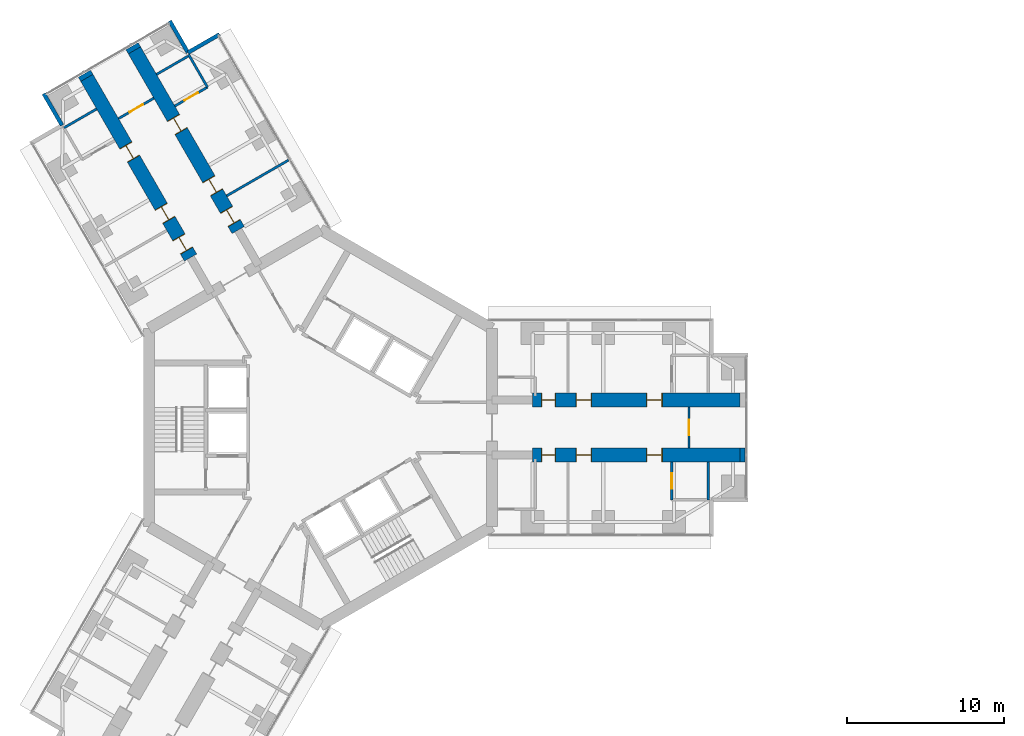
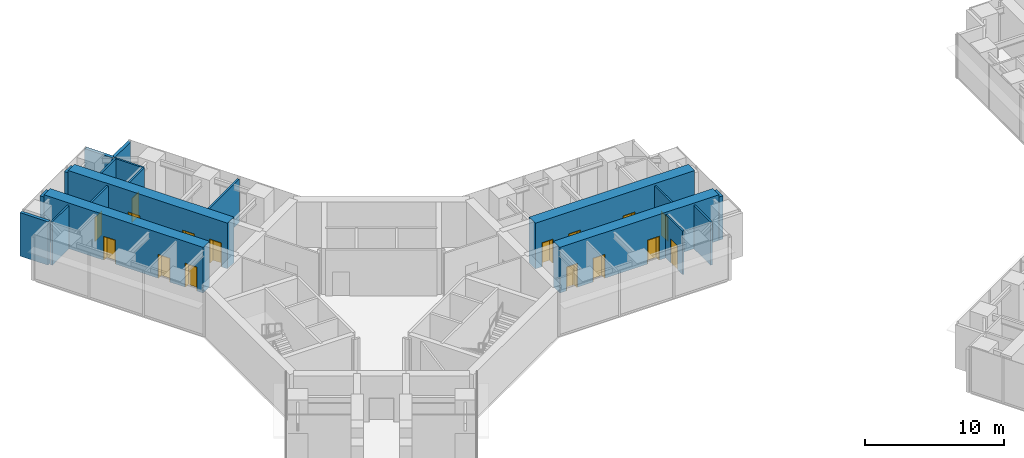
# One storey, part 19 of 24: 19 walls, 16 doors, 16 openings.
"""IFC4 building model written with IfcOpenShell, lengths in metres."""

import ifcopenshell
import ifcopenshell.guid

model = None  # the IFC model being written
_history = None  # IfcOwnerHistory: only IFC2X3 demands one
_inside = {}  # id of a spatial element -> (the spatial element, [elements in it])
_under = {}  # id of a project, library or spatial element -> (it, [spatial elements below it])
_declared = {}  # id of a project -> (the project, [libraries it declares])
_typed = {}  # id of a type object -> (the type object, [elements of that type])
_made_of = {}  # id of a material, layer set ... -> (it, [elements and type objects made of it])


def new_model(schema):
    """Start an empty IFC model of exactly this schema.

    Asked for "IFC4X3", IfcOpenShell would pick the latest addendum, in which some entities
    have other attributes; the version numbers below select the first issue.
    IFC2X3 requires an IfcOwnerHistory on every rooted entity: one is made here for all.
    """
    global model, _history
    if schema == "IFC4X3":
        model = ifcopenshell.file(schema_version=(4, 3, 0, 0))
    else:
        model = ifcopenshell.file(schema=schema)
    _inside.clear()
    _under.clear()
    _declared.clear()
    _typed.clear()
    _made_of.clear()
    _history = None
    if model.schema == "IFC2X3":
        org = make("IfcOrganization", Name="unknown")
        user = make(
            "IfcPersonAndOrganization",
            ThePerson=make("IfcPerson", FamilyName="unknown"),
            TheOrganization=org,
        )
        app = make(
            "IfcApplication",
            ApplicationDeveloper=org,
            Version="unknown",
            ApplicationFullName="unknown",
            ApplicationIdentifier="unknown",
        )
        _history = make(
            "IfcOwnerHistory",
            OwningUser=user,
            OwningApplication=app,
            ChangeAction="ADDED",
            CreationDate=0,
        )
    return model


def make(cls, **values):
    """One entity of the class cls with the attributes given. An attribute that is None is left unset."""
    return model.create_entity(
        cls, **{name: value for name, value in values.items() if value is not None}
    )


def rooted(cls, **values):
    """An entity with a GlobalId (a new one), such as an element, a storey or a relation."""
    return make(cls, GlobalId=ifcopenshell.guid.new(), OwnerHistory=_history, **values)


def si_unit(unit_type, name, prefix=None):
    """IfcSIUnit, for example si_unit("LENGTHUNIT", "METRE", prefix="MILLI")."""
    return make("IfcSIUnit", UnitType=unit_type, Prefix=prefix, Name=name)


def assignment(units):
    """IfcUnitAssignment: the units of a project."""
    return None if units is None else make("IfcUnitAssignment", Units=units)


def point(xyz):
    """IfcCartesianPoint."""
    return None if xyz is None else make("IfcCartesianPoint", Coordinates=xyz)


def direction(xyz):
    """IfcDirection."""
    return None if xyz is None else make("IfcDirection", DirectionRatios=xyz)


def frame(location, z_axis=None, x_axis=None):
    """IfcAxis2Placement3D, a coordinate frame: its origin and axes. An axis left out is left unset."""
    return make(
        "IfcAxis2Placement3D",
        Location=point(location),
        Axis=direction(z_axis),
        RefDirection=direction(x_axis),
    )


def frame_2d(location, x_axis=None):
    """IfcAxis2Placement2D, a coordinate frame in the plane: its origin and x axis."""
    return make(
        "IfcAxis2Placement2D", Location=point(location), RefDirection=direction(x_axis)
    )


def origin():
    """The frame at (0, 0, 0) with its axes left unset."""
    return frame((0.0, 0.0, 0.0))


def place(relative_to, where):
    """IfcLocalPlacement: puts the frame where relative to a parent placement (None: the world)."""
    return make(
        "IfcLocalPlacement", PlacementRelTo=relative_to, RelativePlacement=where
    )


def context(
    kind, dimensions, precision=None, world=None, true_north=None, identifier=None
):
    """IfcGeometricRepresentationContext, for example the 3D "Model" context."""
    return make(
        "IfcGeometricRepresentationContext",
        ContextIdentifier=identifier,
        ContextType=kind,
        CoordinateSpaceDimension=dimensions,
        Precision=precision,
        WorldCoordinateSystem=world,
        TrueNorth=true_north,
    )


def subcontext(parent, identifier, kind, view, scale=None):
    """IfcGeometricRepresentationSubContext, for example "Body" below "Model"."""
    return make(
        "IfcGeometricRepresentationSubContext",
        ContextIdentifier=identifier,
        ContextType=kind,
        ParentContext=parent,
        TargetScale=scale,
        TargetView=view,
    )


def project(units=None, contexts=None):
    """IfcProject with its units and contexts."""
    return rooted(
        "IfcProject",
        Name="project",
        RepresentationContexts=contexts,
        UnitsInContext=assignment(units),
    )


def spatial(cls, under=None, at=None, **own):
    """A site, building, storey or space (cls), placed at a placement, below another one or the project."""
    s = rooted(cls, ObjectPlacement=at, **own)
    if under is not None:
        _under.setdefault(under.id(), (under, []))[1].append(s)
    return s


def profile(cls, at=None, kind="AREA", **sizes):
    """A parametric profile (cls). Its sizes go by their IFC names, for example OverallWidth=200.0."""
    return make(cls, ProfileType=kind, Position=at, **sizes)


def rectangle(**sizes):
    """IfcRectangleProfileDef."""
    return profile("IfcRectangleProfileDef", **sizes)


def extrude(swept, where, along, depth):
    """IfcExtrudedAreaSolid: the profile swept, set in the frame where, extruded along a direction by depth."""
    return make(
        "IfcExtrudedAreaSolid",
        SweptArea=swept,
        Position=where,
        ExtrudedDirection=direction(along),
        Depth=depth,
    )


def shape(context_of_items, identifier, shape_type, items):
    """IfcShapeRepresentation: the items that make up one representation, for example the "Body"."""
    return make(
        "IfcShapeRepresentation",
        ContextOfItems=context_of_items,
        RepresentationIdentifier=identifier,
        RepresentationType=shape_type,
        Items=items,
    )


def material(Name=None, Category=None):
    """IfcMaterial."""
    return make("IfcMaterial", Name=Name, Category=Category)


def layer(
    of_material, thickness, ventilated=None, Name=None, Category=None, Priority=None
):
    """IfcMaterialLayer: one layer of a wall or slab, of a material (None: an air gap)."""
    return make(
        "IfcMaterialLayer",
        Material=of_material,
        LayerThickness=thickness,
        IsVentilated=ventilated,
        Name=Name,
        Category=Category,
        Priority=Priority,
    )


def layer_set(layers, Name=None):
    """IfcMaterialLayerSet."""
    return make("IfcMaterialLayerSet", MaterialLayers=layers, LayerSetName=Name)


def made_of(thing, what):
    """Note that an element or type object is made of a material, layer set ...; save() writes the relation."""
    if what is not None:
        _made_of.setdefault(what.id(), (what, []))[1].append(thing)
    return thing


def type_object(cls, material=None, **own):
    """A type object (cls), such as IfcWallType, which elements share."""
    return made_of(rooted(cls, **own), material)


def element(
    cls,
    number,
    at=None,
    inside=None,
    cuts=None,
    type_object=None,
    material=None,
    context=None,
    identifier="Body",
    shape_type=None,
    held_by="IfcProductDefinitionShape",
    body=None,
    shapes=None,
    **own,
):
    """One element of the class cls, such as IfcWall. Its Tag is "e" and its number.

    at: its placement. inside: the storey or other place that contains it. cuts: it is an
    opening in that element (IfcRelVoidsElement). A single representation is given by context,
    identifier, shape_type and body (its items); several are given by shapes. held_by: the class
    of the entity that holds the representations. save() writes the other relations.
    """
    e = rooted(cls, Tag="e%d" % number, ObjectPlacement=at, **own)
    if body is not None:
        shapes = [shape(context, identifier, shape_type, body)]
    if shapes is not None:
        e.Representation = make(held_by, Representations=shapes)
    if inside is not None:
        _inside.setdefault(inside.id(), (inside, []))[1].append(e)
    if cuts is not None:
        rooted(
            "IfcRelVoidsElement", RelatingBuildingElement=cuts, RelatedOpeningElement=e
        )
    if type_object is not None:
        _typed.setdefault(type_object.id(), (type_object, []))[1].append(e)
    return made_of(e, material)


def fill(opening, filler):
    """IfcRelFillsElement: the door or window that sits in an opening."""
    return rooted(
        "IfcRelFillsElement",
        RelatingOpeningElement=opening,
        RelatedBuildingElement=filler,
    )


def aggregate(whole, parts):
    """IfcRelAggregates: a whole, such as a stair, and the parts it consists of."""
    return rooted("IfcRelAggregates", RelatingObject=whole, RelatedObjects=parts)


def save(model, path):
    """Write the relations noted so far, then the file.

    IfcRelAggregates (storeys below a building ...), IfcRelContainedInSpatialStructure (elements
    in a storey), IfcRelDefinesByType, IfcRelAssociatesMaterial and IfcRelDeclares: one each for
    every whole, place, type object, material and project.
    """
    for whole, parts in _under.values():
        aggregate(whole, parts)
    for where, things in _inside.values():
        rooted(
            "IfcRelContainedInSpatialStructure",
            RelatedElements=things,
            RelatingStructure=where,
        )
    for kind, things in _typed.values():
        rooted("IfcRelDefinesByType", RelatedObjects=things, RelatingType=kind)
    for what, things in _made_of.values():
        rooted("IfcRelAssociatesMaterial", RelatedObjects=things, RelatingMaterial=what)
    for by, libraries in _declared.values():
        rooted("IfcRelDeclares", RelatingContext=by, RelatedDefinitions=libraries)
    model.write(path)


model = new_model("IFC4")

# Units and contexts
model_context = context("Model", 3, precision=1e-05, world=origin(), true_north=direction((0.0, 1.0)))
body_context = subcontext(model_context, "Body", "Model", "MODEL_VIEW")
ifc_project = project(units=[si_unit("LENGTHUNIT", "METRE"), si_unit("AREAUNIT", "SQUARE_METRE"), si_unit("VOLUMEUNIT", "CUBIC_METRE"), si_unit("PLANEANGLEUNIT", "RADIAN"), si_unit("MASSUNIT", "GRAM", prefix="KILO")], contexts=[model_context])

# Site, building, storey
site_placement = place(None, origin())
site = spatial("IfcSite", under=ifc_project, at=site_placement, CompositionType="ELEMENT")
building_placement = place(site_placement, origin())
building = spatial("IfcBuilding", under=site, at=building_placement, Name="Upepo Twin Towers", CompositionType="ELEMENT")
storey_placement = place(building_placement, frame((0.0, 0.0, 52.5)))
storey = spatial("IfcBuildingStorey", under=building, at=storey_placement, Name="L12", CompositionType="ELEMENT", Elevation=52.5)

# Walls
ifc_material_1 = material(Name="Dense concrete blockwork", Category="masonry")
ifc_layer_1 = layer(ifc_material_1, 0.89990234375)
ifc_layer_set_1 = layer_set([ifc_layer_1], Name="Buttress closer 900, blockwork with fire-stopping to the curtain wall")
wall_type_1 = type_object("IfcWallType", Name="Buttress closer 900, blockwork with fire-stopping to the curtain wall", PredefinedType="PARTITIONING", material=ifc_layer_set_1)
for number, where, z_axis, x_axis, name in (
    (1, (26.699951171875, -1.75, 0.0), (0.0, 0.0, 1.0), (1.0, 0.0, 0.0), "T1 L12 wing A buttress closer R"),
    (2, (-14.865478515625, 22.247802734375, 0.0), (0.0, 0.0, 1.0), (-0.499949632511, 0.866054481515, 0.0), "T1 L12 wing B buttress closer L"),
    (3, (-11.83447265625, 23.997802734375, 0.0), (0.0, 0.0, 1.0), (-0.499949632511, 0.866054481515, 0.0), "T1 L12 wing B buttress closer R"),
):
    element("IfcWall", number, at=place(storey_placement, frame(where, z_axis=z_axis, x_axis=x_axis)), inside=storey, type_object=wall_type_1, Name=name, PredefinedType="PARTITIONING", context=body_context, shape_type="SweptSolid", body=[
        extrude(rectangle(XDim=0.31005859375, YDim=0.89990234375, at=frame_2d((0.155029296875, 0.0))), origin(), (0.0, 0.0, 1.0), 3.800048828125),
    ])

# Wall, openings, doors
ifc_material_2 = material(Name="Concrete C60/75", Category="concrete")
ifc_layer_2 = layer(ifc_material_2, 0.89990234375)
ifc_layer_set_2 = layer_set([ifc_layer_2], Name="Concrete C60/75")
wall_type_2 = type_object("IfcWallType", Name="Buttress wall 900 RC", PredefinedType="SHEAR", material=ifc_layer_set_2)
wall_1_placement = place(storey_placement, frame((13.5, 1.75, 0.0), z_axis=(0.0, 0.0, 1.0), x_axis=(1.0, 0.0, 0.0)))
wall_1 = element("IfcWall", 4, at=wall_1_placement, inside=storey, type_object=wall_type_2, Name="T1 wing A buttress wall L part 2", PredefinedType="SHEAR", context=body_context, shape_type="SweptSolid", body=[
    extrude(rectangle(XDim=13.199951171875, YDim=0.89990234375, at=frame_2d((6.60009765625, 0.0))), origin(), (0.0, 0.0, 1.0), 4.0),
])
opening_1_placement = place(wall_1_placement, frame((0.550048828125, 0.0, 0.0)))
opening_1 = element("IfcOpeningElement", 5, at=opening_1_placement, cuts=wall_1, Name="Opening D11", PredefinedType="OPENING", context=body_context, shape_type="SweptSolid", body=[
    extrude(rectangle(XDim=0.89990234375, YDim=2.10009765625, at=frame_2d((0.449951171875, 1.050048828125))), frame((0.0, 0.4599609375, 0.0), z_axis=(0.0, -1.0, 0.0), x_axis=(1.0, 0.0, 0.0)), (0.0, 0.0, 1.0), 0.919921875),
])
opening_2_placement = place(wall_1_placement, frame((2.75, 0.0, 0.0)))
opening_2 = element("IfcOpeningElement", 6, at=opening_2_placement, cuts=wall_1, Name="Opening D1", PredefinedType="OPENING", context=body_context, shape_type="SweptSolid", body=[
    extrude(rectangle(XDim=1.0, YDim=2.10009765625, at=frame_2d((0.5, 1.050048828125))), frame((0.0, 0.4599609375, 0.0), z_axis=(0.0, -1.0, 0.0), x_axis=(1.0, 0.0, 0.0)), (0.0, 0.0, 1.0), 0.919921875),
])
opening_3_placement = place(wall_1_placement, frame((7.25, 0.0, 0.0)))
opening_3 = element("IfcOpeningElement", 7, at=opening_3_placement, cuts=wall_1, Name="Opening D1", PredefinedType="OPENING", context=body_context, shape_type="SweptSolid", body=[
    extrude(rectangle(XDim=1.0, YDim=2.10009765625, at=frame_2d((0.5, 1.050048828125))), frame((0.0, 0.4599609375, 0.0), z_axis=(0.0, -1.0, 0.0), x_axis=(1.0, 0.0, 0.0)), (0.0, 0.0, 1.0), 0.919921875),
])
ifc_material_3 = material(Name="Timber doorset", Category="wood")
door_type_1 = type_object("IfcDoorType", Name="Room door 1000 FD30", OperationType="SINGLE_SWING_LEFT", PredefinedType="DOOR", material=ifc_material_3)
door_1_placement = place(opening_2_placement, origin())
door_1 = element("IfcDoor", 8, at=door_1_placement, inside=storey, type_object=door_type_1, Name="T1 L12 teaching laboratory door", OperationType="SINGLE_SWING_LEFT", OverallHeight=2.10009765625, OverallWidth=1.0, PredefinedType="DOOR", context=body_context, shape_type="SweptSolid", body=[
    extrude(rectangle(XDim=0.92, YDim=2.06009765625, at=frame_2d((0.5, 1.030029296875))), frame((0.0, 0.02490234375, 0.0), z_axis=(0.0, -1.0, 0.0), x_axis=(1.0, 0.0, 0.0)), (0.0, 0.0, 1.0), 0.050048828125),
    extrude(rectangle(XDim=0.04, YDim=2.10009765625, at=frame_2d((0.02001953125, 1.050048828125))), frame((0.0, 0.44970703125, 0.0), z_axis=(0.0, -1.0, 0.0), x_axis=(1.0, 0.0, 0.0)), (0.0, 0.0, 1.0), 0.8994140625),
    extrude(rectangle(XDim=0.04, YDim=2.10009765625, at=frame_2d((0.97998046875, 1.050048828125))), frame((0.0, 0.44970703125, 0.0), z_axis=(0.0, -1.0, 0.0), x_axis=(1.0, 0.0, 0.0)), (0.0, 0.0, 1.0), 0.8994140625),
    extrude(rectangle(XDim=0.92, YDim=0.04, at=frame_2d((0.5, 2.080078125))), frame((0.0, 0.44970703125, 0.0), z_axis=(0.0, -1.0, 0.0), x_axis=(1.0, 0.0, 0.0)), (0.0, 0.0, 1.0), 0.8994140625),
])
fill(opening_2, door_1)
door_2_placement = place(opening_3_placement, origin())
door_2 = element("IfcDoor", 9, at=door_2_placement, inside=storey, type_object=door_type_1, Name="T1 L12 teaching laboratory door", OperationType="SINGLE_SWING_RIGHT", OverallHeight=2.10009765625, OverallWidth=1.0, PredefinedType="DOOR", context=body_context, shape_type="SweptSolid", body=[
    extrude(rectangle(XDim=0.92, YDim=2.06009765625, at=frame_2d((0.5, 1.030029296875))), frame((0.0, 0.02490234375, 0.0), z_axis=(0.0, -1.0, 0.0), x_axis=(1.0, 0.0, 0.0)), (0.0, 0.0, 1.0), 0.050048828125),
    extrude(rectangle(XDim=0.04, YDim=2.10009765625, at=frame_2d((0.02001953125, 1.050048828125))), frame((0.0, 0.44970703125, 0.0), z_axis=(0.0, -1.0, 0.0), x_axis=(1.0, 0.0, 0.0)), (0.0, 0.0, 1.0), 0.8994140625),
    extrude(rectangle(XDim=0.04, YDim=2.10009765625, at=frame_2d((0.97998046875, 1.050048828125))), frame((0.0, 0.44970703125, 0.0), z_axis=(0.0, -1.0, 0.0), x_axis=(1.0, 0.0, 0.0)), (0.0, 0.0, 1.0), 0.8994140625),
    extrude(rectangle(XDim=0.92, YDim=0.04, at=frame_2d((0.5, 2.080078125))), frame((0.0, 0.44970703125, 0.0), z_axis=(0.0, -1.0, 0.0), x_axis=(1.0, 0.0, 0.0)), (0.0, 0.0, 1.0), 0.8994140625),
])
fill(opening_3, door_2)
ifc_material_4 = material(Name="Timber doorset", Category="wood")
door_type_2 = type_object("IfcDoorType", Name="Toilet door 900", OperationType="SINGLE_SWING_LEFT", PredefinedType="DOOR", material=ifc_material_4)
door_3_placement = place(opening_1_placement, origin())
door_3 = element("IfcDoor", 10, at=door_3_placement, inside=storey, type_object=door_type_2, Name="T1 L12 toilets door", OperationType="SINGLE_SWING_LEFT", OverallHeight=2.10009765625, OverallWidth=0.89990234375, PredefinedType="DOOR", context=body_context, shape_type="SweptSolid", body=[
    extrude(rectangle(XDim=0.81990234375, YDim=2.06009765625, at=frame_2d((0.449951171875, 1.030029296875))), frame((0.0, 0.02490234375, 0.0), z_axis=(0.0, -1.0, 0.0), x_axis=(1.0, 0.0, 0.0)), (0.0, 0.0, 1.0), 0.050048828125),
    extrude(rectangle(XDim=0.04, YDim=2.10009765625, at=frame_2d((0.02001953125, 1.050048828125))), frame((0.0, 0.44970703125, 0.0), z_axis=(0.0, -1.0, 0.0), x_axis=(1.0, 0.0, 0.0)), (0.0, 0.0, 1.0), 0.8994140625),
    extrude(rectangle(XDim=0.04, YDim=2.10009765625, at=frame_2d((0.8798828125, 1.050048828125))), frame((0.0, 0.44970703125, 0.0), z_axis=(0.0, -1.0, 0.0), x_axis=(1.0, 0.0, 0.0)), (0.0, 0.0, 1.0), 0.8994140625),
    extrude(rectangle(XDim=0.81990234375, YDim=0.04, at=frame_2d((0.449951171875, 2.080078125))), frame((0.0, 0.44970703125, 0.0), z_axis=(0.0, -1.0, 0.0), x_axis=(1.0, 0.0, 0.0)), (0.0, 0.0, 1.0), 0.8994140625),
])
fill(opening_1, door_3)

wall_2_placement = place(storey_placement, frame((13.5, -1.75, 0.0), z_axis=(0.0, 0.0, 1.0), x_axis=(1.0, 0.0, 0.0)))
wall_2 = element("IfcWall", 11, at=wall_2_placement, inside=storey, type_object=wall_type_2, Name="T1 wing A buttress wall R part 2", PredefinedType="SHEAR", context=body_context, shape_type="SweptSolid", body=[
    extrude(rectangle(XDim=13.199951171875, YDim=0.89990234375, at=frame_2d((6.60009765625, 0.0))), origin(), (0.0, 0.0, 1.0), 4.0),
])
opening_4_placement = place(wall_2_placement, frame((0.550048828125, 0.0, 0.0)))
opening_4 = element("IfcOpeningElement", 12, at=opening_4_placement, cuts=wall_2, Name="Opening D11", PredefinedType="OPENING", context=body_context, shape_type="SweptSolid", body=[
    extrude(rectangle(XDim=0.89990234375, YDim=2.10009765625, at=frame_2d((0.449951171875, 1.050048828125))), frame((0.0, 0.4599609375, 0.0), z_axis=(0.0, -1.0, 0.0), x_axis=(1.0, 0.0, 0.0)), (0.0, 0.0, 1.0), 0.919921875),
])
opening_5_placement = place(wall_2_placement, frame((2.75, 0.0, 0.0)))
opening_5 = element("IfcOpeningElement", 13, at=opening_5_placement, cuts=wall_2, Name="Opening D1", PredefinedType="OPENING", context=body_context, shape_type="SweptSolid", body=[
    extrude(rectangle(XDim=1.0, YDim=2.10009765625, at=frame_2d((0.5, 1.050048828125))), frame((0.0, 0.4599609375, 0.0), z_axis=(0.0, -1.0, 0.0), x_axis=(1.0, 0.0, 0.0)), (0.0, 0.0, 1.0), 0.919921875),
])
opening_6_placement = place(wall_2_placement, frame((7.25, 0.0, 0.0)))
opening_6 = element("IfcOpeningElement", 14, at=opening_6_placement, cuts=wall_2, Name="Opening D1", PredefinedType="OPENING", context=body_context, shape_type="SweptSolid", body=[
    extrude(rectangle(XDim=1.0, YDim=2.10009765625, at=frame_2d((0.5, 1.050048828125))), frame((0.0, 0.4599609375, 0.0), z_axis=(0.0, -1.0, 0.0), x_axis=(1.0, 0.0, 0.0)), (0.0, 0.0, 1.0), 0.919921875),
])
door_4_placement = place(opening_5_placement, origin())
door_4 = element("IfcDoor", 15, at=door_4_placement, inside=storey, type_object=door_type_1, Name="T1 L12 teaching laboratory door", OperationType="SINGLE_SWING_LEFT", OverallHeight=2.10009765625, OverallWidth=1.0, PredefinedType="DOOR", context=body_context, shape_type="SweptSolid", body=[
    extrude(rectangle(XDim=0.92, YDim=2.06009765625, at=frame_2d((0.5, 1.030029296875))), frame((0.0, 0.02490234375, 0.0), z_axis=(0.0, -1.0, 0.0), x_axis=(1.0, 0.0, 0.0)), (0.0, 0.0, 1.0), 0.050048828125),
    extrude(rectangle(XDim=0.04, YDim=2.10009765625, at=frame_2d((0.02001953125, 1.050048828125))), frame((0.0, 0.44970703125, 0.0), z_axis=(0.0, -1.0, 0.0), x_axis=(1.0, 0.0, 0.0)), (0.0, 0.0, 1.0), 0.8994140625),
    extrude(rectangle(XDim=0.04, YDim=2.10009765625, at=frame_2d((0.97998046875, 1.050048828125))), frame((0.0, 0.44970703125, 0.0), z_axis=(0.0, -1.0, 0.0), x_axis=(1.0, 0.0, 0.0)), (0.0, 0.0, 1.0), 0.8994140625),
    extrude(rectangle(XDim=0.92, YDim=0.04, at=frame_2d((0.5, 2.080078125))), frame((0.0, 0.44970703125, 0.0), z_axis=(0.0, -1.0, 0.0), x_axis=(1.0, 0.0, 0.0)), (0.0, 0.0, 1.0), 0.8994140625),
])
fill(opening_5, door_4)
door_5_placement = place(opening_6_placement, origin())
door_5 = element("IfcDoor", 16, at=door_5_placement, inside=storey, type_object=door_type_1, Name="T1 L12 teaching laboratory door", OperationType="SINGLE_SWING_RIGHT", OverallHeight=2.10009765625, OverallWidth=1.0, PredefinedType="DOOR", context=body_context, shape_type="SweptSolid", body=[
    extrude(rectangle(XDim=0.92, YDim=2.06009765625, at=frame_2d((0.5, 1.030029296875))), frame((0.0, 0.02490234375, 0.0), z_axis=(0.0, -1.0, 0.0), x_axis=(1.0, 0.0, 0.0)), (0.0, 0.0, 1.0), 0.050048828125),
    extrude(rectangle(XDim=0.04, YDim=2.10009765625, at=frame_2d((0.02001953125, 1.050048828125))), frame((0.0, 0.44970703125, 0.0), z_axis=(0.0, -1.0, 0.0), x_axis=(1.0, 0.0, 0.0)), (0.0, 0.0, 1.0), 0.8994140625),
    extrude(rectangle(XDim=0.04, YDim=2.10009765625, at=frame_2d((0.97998046875, 1.050048828125))), frame((0.0, 0.44970703125, 0.0), z_axis=(0.0, -1.0, 0.0), x_axis=(1.0, 0.0, 0.0)), (0.0, 0.0, 1.0), 0.8994140625),
    extrude(rectangle(XDim=0.92, YDim=0.04, at=frame_2d((0.5, 2.080078125))), frame((0.0, 0.44970703125, 0.0), z_axis=(0.0, -1.0, 0.0), x_axis=(1.0, 0.0, 0.0)), (0.0, 0.0, 1.0), 0.8994140625),
])
fill(opening_6, door_5)
door_6_placement = place(opening_4_placement, origin())
door_6 = element("IfcDoor", 17, at=door_6_placement, inside=storey, type_object=door_type_2, Name="T1 L12 accessible wc door", OperationType="SINGLE_SWING_LEFT", OverallHeight=2.10009765625, OverallWidth=0.89990234375, PredefinedType="DOOR", context=body_context, shape_type="SweptSolid", body=[
    extrude(rectangle(XDim=0.81990234375, YDim=2.06009765625, at=frame_2d((0.449951171875, 1.030029296875))), frame((0.0, 0.02490234375, 0.0), z_axis=(0.0, -1.0, 0.0), x_axis=(1.0, 0.0, 0.0)), (0.0, 0.0, 1.0), 0.050048828125),
    extrude(rectangle(XDim=0.04, YDim=2.10009765625, at=frame_2d((0.02001953125, 1.050048828125))), frame((0.0, 0.44970703125, 0.0), z_axis=(0.0, -1.0, 0.0), x_axis=(1.0, 0.0, 0.0)), (0.0, 0.0, 1.0), 0.8994140625),
    extrude(rectangle(XDim=0.04, YDim=2.10009765625, at=frame_2d((0.8798828125, 1.050048828125))), frame((0.0, 0.44970703125, 0.0), z_axis=(0.0, -1.0, 0.0), x_axis=(1.0, 0.0, 0.0)), (0.0, 0.0, 1.0), 0.8994140625),
    extrude(rectangle(XDim=0.81990234375, YDim=0.04, at=frame_2d((0.449951171875, 2.080078125))), frame((0.0, 0.44970703125, 0.0), z_axis=(0.0, -1.0, 0.0), x_axis=(1.0, 0.0, 0.0)), (0.0, 0.0, 1.0), 0.8994140625),
])
fill(opening_4, door_6)

wall_3_placement = place(storey_placement, frame((-8.265625, 10.81640625, 0.0), z_axis=(0.0, 0.0, 1.0), x_axis=(-0.499996231654, 0.866027579429, 0.0)))
wall_3 = element("IfcWall", 18, at=wall_3_placement, inside=storey, type_object=wall_type_2, Name="T1 wing B buttress wall L part 2", PredefinedType="SHEAR", context=body_context, shape_type="SweptSolid", body=[
    extrude(rectangle(XDim=13.19970703125, YDim=0.89990234375, at=frame_2d((6.599853515625, 0.0))), origin(), (0.0, 0.0, 1.0), 4.0),
])
opening_7_placement = place(wall_3_placement, frame((0.5, 0.0, 0.0)))
opening_7 = element("IfcOpeningElement", 19, at=opening_7_placement, cuts=wall_3, Name="Opening D1", PredefinedType="OPENING", context=body_context, shape_type="SweptSolid", body=[
    extrude(rectangle(XDim=1.0, YDim=2.10009765625, at=frame_2d((0.5, 1.050048828125))), frame((0.0, 0.4599609375, 0.0), z_axis=(0.0, -1.0, 0.0), x_axis=(1.0, 0.0, 0.0)), (0.0, 0.0, 1.0), 0.919921875),
])
opening_8_placement = place(wall_3_placement, frame((2.75, 0.0, 0.0)))
opening_8 = element("IfcOpeningElement", 20, at=opening_8_placement, cuts=wall_3, Name="Opening D1", PredefinedType="OPENING", context=body_context, shape_type="SweptSolid", body=[
    extrude(rectangle(XDim=1.0, YDim=2.10009765625, at=frame_2d((0.5, 1.050048828125))), frame((0.0, 0.4599609375, 0.0), z_axis=(0.0, -1.0, 0.0), x_axis=(1.0, 0.0, 0.0)), (0.0, 0.0, 1.0), 0.919921875),
])
opening_9_placement = place(wall_3_placement, frame((7.25, 0.0, 0.0)))
opening_9 = element("IfcOpeningElement", 21, at=opening_9_placement, cuts=wall_3, Name="Opening D1", PredefinedType="OPENING", context=body_context, shape_type="SweptSolid", body=[
    extrude(rectangle(XDim=1.0, YDim=2.10009765625, at=frame_2d((0.5, 1.050048828125))), frame((0.0, 0.4599609375, 0.0), z_axis=(0.0, -1.0, 0.0), x_axis=(1.0, 0.0, 0.0)), (0.0, 0.0, 1.0), 0.919921875),
])
door_7_placement = place(opening_7_placement, origin())
door_7 = element("IfcDoor", 22, at=door_7_placement, inside=storey, type_object=door_type_1, Name="T1 L12 seminar room door", OperationType="SINGLE_SWING_LEFT", OverallHeight=2.10009765625, OverallWidth=1.0, PredefinedType="DOOR", context=body_context, shape_type="SweptSolid", body=[
    extrude(rectangle(XDim=0.92, YDim=2.06009765625, at=frame_2d((0.5, 1.030029296875))), frame((0.0, 0.02490234375, 0.0), z_axis=(0.0, -1.0, 0.0), x_axis=(1.0, 0.0, 0.0)), (0.0, 0.0, 1.0), 0.050048828125),
    extrude(rectangle(XDim=0.04, YDim=2.10009765625, at=frame_2d((0.02001953125, 1.050048828125))), frame((0.0, 0.44970703125, 0.0), z_axis=(0.0, -1.0, 0.0), x_axis=(1.0, 0.0, 0.0)), (0.0, 0.0, 1.0), 0.8994140625),
    extrude(rectangle(XDim=0.04, YDim=2.10009765625, at=frame_2d((0.97998046875, 1.050048828125))), frame((0.0, 0.44970703125, 0.0), z_axis=(0.0, -1.0, 0.0), x_axis=(1.0, 0.0, 0.0)), (0.0, 0.0, 1.0), 0.8994140625),
    extrude(rectangle(XDim=0.92, YDim=0.04, at=frame_2d((0.5, 2.080078125))), frame((0.0, 0.44970703125, 0.0), z_axis=(0.0, -1.0, 0.0), x_axis=(1.0, 0.0, 0.0)), (0.0, 0.0, 1.0), 0.8994140625),
])
fill(opening_7, door_7)
door_8_placement = place(opening_8_placement, origin())
door_8 = element("IfcDoor", 23, at=door_8_placement, inside=storey, type_object=door_type_1, Name="T1 L12 teaching laboratory door", OperationType="SINGLE_SWING_LEFT", OverallHeight=2.10009765625, OverallWidth=1.0, PredefinedType="DOOR", context=body_context, shape_type="SweptSolid", body=[
    extrude(rectangle(XDim=0.92, YDim=2.06009765625, at=frame_2d((0.5, 1.030029296875))), frame((0.0, 0.02490234375, 0.0), z_axis=(0.0, -1.0, 0.0), x_axis=(1.0, 0.0, 0.0)), (0.0, 0.0, 1.0), 0.050048828125),
    extrude(rectangle(XDim=0.04, YDim=2.10009765625, at=frame_2d((0.02001953125, 1.050048828125))), frame((0.0, 0.44970703125, 0.0), z_axis=(0.0, -1.0, 0.0), x_axis=(1.0, 0.0, 0.0)), (0.0, 0.0, 1.0), 0.8994140625),
    extrude(rectangle(XDim=0.04, YDim=2.10009765625, at=frame_2d((0.97998046875, 1.050048828125))), frame((0.0, 0.44970703125, 0.0), z_axis=(0.0, -1.0, 0.0), x_axis=(1.0, 0.0, 0.0)), (0.0, 0.0, 1.0), 0.8994140625),
    extrude(rectangle(XDim=0.92, YDim=0.04, at=frame_2d((0.5, 2.080078125))), frame((0.0, 0.44970703125, 0.0), z_axis=(0.0, -1.0, 0.0), x_axis=(1.0, 0.0, 0.0)), (0.0, 0.0, 1.0), 0.8994140625),
])
fill(opening_8, door_8)
door_9_placement = place(opening_9_placement, origin())
door_9 = element("IfcDoor", 24, at=door_9_placement, inside=storey, type_object=door_type_1, Name="T1 L12 teaching laboratory door", OperationType="SINGLE_SWING_RIGHT", OverallHeight=2.10009765625, OverallWidth=1.0, PredefinedType="DOOR", context=body_context, shape_type="SweptSolid", body=[
    extrude(rectangle(XDim=0.92, YDim=2.06009765625, at=frame_2d((0.5, 1.030029296875))), frame((0.0, 0.02490234375, 0.0), z_axis=(0.0, -1.0, 0.0), x_axis=(1.0, 0.0, 0.0)), (0.0, 0.0, 1.0), 0.050048828125),
    extrude(rectangle(XDim=0.04, YDim=2.10009765625, at=frame_2d((0.02001953125, 1.050048828125))), frame((0.0, 0.44970703125, 0.0), z_axis=(0.0, -1.0, 0.0), x_axis=(1.0, 0.0, 0.0)), (0.0, 0.0, 1.0), 0.8994140625),
    extrude(rectangle(XDim=0.04, YDim=2.10009765625, at=frame_2d((0.97998046875, 1.050048828125))), frame((0.0, 0.44970703125, 0.0), z_axis=(0.0, -1.0, 0.0), x_axis=(1.0, 0.0, 0.0)), (0.0, 0.0, 1.0), 0.8994140625),
    extrude(rectangle(XDim=0.92, YDim=0.04, at=frame_2d((0.5, 2.080078125))), frame((0.0, 0.44970703125, 0.0), z_axis=(0.0, -1.0, 0.0), x_axis=(1.0, 0.0, 0.0)), (0.0, 0.0, 1.0), 0.8994140625),
])
fill(opening_9, door_9)

wall_4_placement = place(storey_placement, frame((-5.234375, 12.56640625, 0.0), z_axis=(0.0, 0.0, 1.0), x_axis=(-0.500010103361, 0.866019570528, 0.0)))
wall_4 = element("IfcWall", 25, at=wall_4_placement, inside=storey, type_object=wall_type_2, Name="T1 wing B buttress wall R part 2", PredefinedType="SHEAR", context=body_context, shape_type="SweptSolid", body=[
    extrude(rectangle(XDim=13.199951171875, YDim=0.89990234375, at=frame_2d((6.60009765625, 0.0))), origin(), (0.0, 0.0, 1.0), 4.0),
])
opening_10_placement = place(wall_4_placement, frame((0.5, 0.0, 0.0)))
opening_10 = element("IfcOpeningElement", 26, at=opening_10_placement, cuts=wall_4, Name="Opening D1", PredefinedType="OPENING", context=body_context, shape_type="SweptSolid", body=[
    extrude(rectangle(XDim=1.0, YDim=2.10009765625, at=frame_2d((0.5, 1.050048828125))), frame((0.0, 0.4599609375, 0.0), z_axis=(0.0, -1.0, 0.0), x_axis=(1.0, 0.0, 0.0)), (0.0, 0.0, 1.0), 0.919921875),
])
opening_11_placement = place(wall_4_placement, frame((2.75, 0.0, 0.0)))
opening_11 = element("IfcOpeningElement", 27, at=opening_11_placement, cuts=wall_4, Name="Opening D1", PredefinedType="OPENING", context=body_context, shape_type="SweptSolid", body=[
    extrude(rectangle(XDim=1.0, YDim=2.10009765625, at=frame_2d((0.5, 1.050048828125))), frame((0.0, 0.4599609375, 0.0), z_axis=(0.0, -1.0, 0.0), x_axis=(1.0, 0.0, 0.0)), (0.0, 0.0, 1.0), 0.919921875),
])
opening_12_placement = place(wall_4_placement, frame((7.25, 0.0, 0.0)))
opening_12 = element("IfcOpeningElement", 28, at=opening_12_placement, cuts=wall_4, Name="Opening D1", PredefinedType="OPENING", context=body_context, shape_type="SweptSolid", body=[
    extrude(rectangle(XDim=1.0, YDim=2.10009765625, at=frame_2d((0.5, 1.050048828125))), frame((0.0, 0.4599609375, 0.0), z_axis=(0.0, -1.0, 0.0), x_axis=(1.0, 0.0, 0.0)), (0.0, 0.0, 1.0), 0.919921875),
])
door_10_placement = place(opening_10_placement, origin())
door_10 = element("IfcDoor", 29, at=door_10_placement, inside=storey, type_object=door_type_1, Name="T1 L12 staff office door", OperationType="SINGLE_SWING_LEFT", OverallHeight=2.10009765625, OverallWidth=1.0, PredefinedType="DOOR", context=body_context, shape_type="SweptSolid", body=[
    extrude(rectangle(XDim=0.92, YDim=2.06009765625, at=frame_2d((0.5, 1.030029296875))), frame((0.0, 0.02490234375, 0.0), z_axis=(0.0, -1.0, 0.0), x_axis=(1.0, 0.0, 0.0)), (0.0, 0.0, 1.0), 0.050048828125),
    extrude(rectangle(XDim=0.04, YDim=2.10009765625, at=frame_2d((0.02001953125, 1.050048828125))), frame((0.0, 0.44970703125, 0.0), z_axis=(0.0, -1.0, 0.0), x_axis=(1.0, 0.0, 0.0)), (0.0, 0.0, 1.0), 0.8994140625),
    extrude(rectangle(XDim=0.04, YDim=2.10009765625, at=frame_2d((0.97998046875, 1.050048828125))), frame((0.0, 0.44970703125, 0.0), z_axis=(0.0, -1.0, 0.0), x_axis=(1.0, 0.0, 0.0)), (0.0, 0.0, 1.0), 0.8994140625),
    extrude(rectangle(XDim=0.92, YDim=0.04, at=frame_2d((0.5, 2.080078125))), frame((0.0, 0.44970703125, 0.0), z_axis=(0.0, -1.0, 0.0), x_axis=(1.0, 0.0, 0.0)), (0.0, 0.0, 1.0), 0.8994140625),
])
fill(opening_10, door_10)
door_11_placement = place(opening_11_placement, origin())
door_11 = element("IfcDoor", 30, at=door_11_placement, inside=storey, type_object=door_type_1, Name="T1 L12 teaching laboratory door", OperationType="SINGLE_SWING_LEFT", OverallHeight=2.10009765625, OverallWidth=1.0, PredefinedType="DOOR", context=body_context, shape_type="SweptSolid", body=[
    extrude(rectangle(XDim=0.92, YDim=2.06009765625, at=frame_2d((0.5, 1.030029296875))), frame((0.0, 0.02490234375, 0.0), z_axis=(0.0, -1.0, 0.0), x_axis=(1.0, 0.0, 0.0)), (0.0, 0.0, 1.0), 0.050048828125),
    extrude(rectangle(XDim=0.04, YDim=2.10009765625, at=frame_2d((0.02001953125, 1.050048828125))), frame((0.0, 0.44970703125, 0.0), z_axis=(0.0, -1.0, 0.0), x_axis=(1.0, 0.0, 0.0)), (0.0, 0.0, 1.0), 0.8994140625),
    extrude(rectangle(XDim=0.04, YDim=2.10009765625, at=frame_2d((0.97998046875, 1.050048828125))), frame((0.0, 0.44970703125, 0.0), z_axis=(0.0, -1.0, 0.0), x_axis=(1.0, 0.0, 0.0)), (0.0, 0.0, 1.0), 0.8994140625),
    extrude(rectangle(XDim=0.92, YDim=0.04, at=frame_2d((0.5, 2.080078125))), frame((0.0, 0.44970703125, 0.0), z_axis=(0.0, -1.0, 0.0), x_axis=(1.0, 0.0, 0.0)), (0.0, 0.0, 1.0), 0.8994140625),
])
fill(opening_11, door_11)
door_12_placement = place(opening_12_placement, origin())
door_12 = element("IfcDoor", 31, at=door_12_placement, inside=storey, type_object=door_type_1, Name="T1 L12 teaching laboratory door", OperationType="SINGLE_SWING_RIGHT", OverallHeight=2.10009765625, OverallWidth=1.0, PredefinedType="DOOR", context=body_context, shape_type="SweptSolid", body=[
    extrude(rectangle(XDim=0.92, YDim=2.06009765625, at=frame_2d((0.5, 1.030029296875))), frame((0.0, 0.02490234375, 0.0), z_axis=(0.0, -1.0, 0.0), x_axis=(1.0, 0.0, 0.0)), (0.0, 0.0, 1.0), 0.050048828125),
    extrude(rectangle(XDim=0.04, YDim=2.10009765625, at=frame_2d((0.02001953125, 1.050048828125))), frame((0.0, 0.44970703125, 0.0), z_axis=(0.0, -1.0, 0.0), x_axis=(1.0, 0.0, 0.0)), (0.0, 0.0, 1.0), 0.8994140625),
    extrude(rectangle(XDim=0.04, YDim=2.10009765625, at=frame_2d((0.97998046875, 1.050048828125))), frame((0.0, 0.44970703125, 0.0), z_axis=(0.0, -1.0, 0.0), x_axis=(1.0, 0.0, 0.0)), (0.0, 0.0, 1.0), 0.8994140625),
    extrude(rectangle(XDim=0.92, YDim=0.04, at=frame_2d((0.5, 2.080078125))), frame((0.0, 0.44970703125, 0.0), z_axis=(0.0, -1.0, 0.0), x_axis=(1.0, 0.0, 0.0)), (0.0, 0.0, 1.0), 0.8994140625),
])
fill(opening_12, door_12)

# Walls
ifc_material_5 = material(Name="Blockwork with anodised aluminium cladding", Category="masonry")
ifc_layer_3 = layer(ifc_material_5, 0.25)
ifc_layer_set_3 = layer_set([ifc_layer_3], Name="Notch cladding wall 250, pale metal")
wall_type_3 = type_object("IfcWallType", Name="Notch cladding wall 250, pale metal", PredefinedType="STANDARD", material=ifc_layer_set_3)
for number, where, z_axis, x_axis, name in (
    (32, (-16.44287109375, 19.22998046875, 0.0), (0.0, 0.0, 1.0), (-0.500046648681, 0.865998469481, 0.0), "T1 L12 wing B notch wall L2"),
    (33, (-6.418701171875, 25.017333984375, 0.0), (0.0, 0.0, 1.0), (-0.866043940782, -0.499967891604, 0.0), "T1 L12 wing B notch wall R1"),
    (34, (-8.43212890625, 23.85498046875, 0.0), (0.0, 0.0, 1.0), (-0.500046648681, 0.865998469481, 0.0), "T1 L12 wing B notch wall R2"),
):
    element("IfcWall", number, at=place(storey_placement, frame(where, z_axis=z_axis, x_axis=x_axis)), inside=storey, type_object=wall_type_3, Name=name, PredefinedType="STANDARD", context=body_context, shape_type="SweptSolid", body=[
        extrude(rectangle(XDim=2.324951171875, YDim=0.25, at=frame_2d((1.16259765625, 0.0))), origin(), (0.0, 0.0, 1.0), 3.800048828125),
    ])

# Wall, opening, door
ifc_material_6 = material(Name="Gypsum board on steel studs", Category="steel")
ifc_layer_4 = layer(ifc_material_6, 0.14990234375)
ifc_layer_set_4 = layer_set([ifc_layer_4], Name="Teaching partition 150 acoustic")
wall_type_4 = type_object("IfcWallType", Name="Teaching partition 150 acoustic", PredefinedType="PARTITIONING", material=ifc_layer_set_4)
wall_5_placement = place(storey_placement, frame((22.35009765625, -2.199951171875, 0.0), z_axis=(0.0, 0.0, 1.0), x_axis=(0.0, -1.0, 0.0)))
wall_5 = element("IfcWall", 35, at=wall_5_placement, inside=storey, type_object=wall_type_4, Name="T1 inner room partition AR end at 22.35", PredefinedType="PARTITIONING", context=body_context, shape_type="SweptSolid", body=[
    extrude(rectangle(XDim=2.400146484375, YDim=0.14990234375, at=frame_2d((1.2001953125, 0.0))), origin(), (0.0, 0.0, 1.0), 3.800048828125),
])
opening_13_placement = place(wall_5_placement, frame((0.699951171875, 0.0, 0.0)))
opening_13 = element("IfcOpeningElement", 36, at=opening_13_placement, cuts=wall_5, Name="Opening D1", PredefinedType="OPENING", context=body_context, shape_type="SweptSolid", body=[
    extrude(rectangle(XDim=1.0, YDim=2.10009765625, at=frame_2d((0.5, 1.050048828125))), frame((0.0, 0.0849609375, 0.0), z_axis=(0.0, -1.0, 0.0), x_axis=(1.0, 0.0, 0.0)), (0.0, 0.0, 1.0), 0.169921875),
])
door_13_placement = place(opening_13_placement, origin())
door_13 = element("IfcDoor", 37, at=door_13_placement, inside=storey, type_object=door_type_1, Name="T1 L12 inner room door", OperationType="SINGLE_SWING_LEFT", OverallHeight=2.10009765625, OverallWidth=1.0, PredefinedType="DOOR", context=body_context, shape_type="SweptSolid", body=[
    extrude(rectangle(XDim=1.0, YDim=2.10009765625, at=frame_2d((0.5, 1.050048828125))), frame((0.0, 0.02490234375, 0.0), z_axis=(0.0, -1.0, 0.0), x_axis=(1.0, 0.0, 0.0)), (0.0, 0.0, 1.0), 0.050048828125),
])
fill(opening_13, door_13)

# Walls
for number, where, z_axis, x_axis, name in (
    (38, (24.675048828125, -2.199951171875, 0.0), (0.0, 0.0, 1.0), (0.0, -1.0, 0.0), "T1 inner room partition AR end at 24.75"),
    (39, (-14.24267578125, 20.269287109375, 0.0), (0.0, 0.0, 1.0), (-0.866006032174, -0.500033551112, 0.0), "T1 inner room partition BL end at 24.75"),
):
    element("IfcWall", number, at=place(storey_placement, frame(where, z_axis=z_axis, x_axis=x_axis)), inside=storey, type_object=wall_type_4, Name=name, PredefinedType="PARTITIONING", context=body_context, shape_type="SweptSolid", body=[
        extrude(rectangle(XDim=2.400146484375, YDim=0.14990234375, at=frame_2d((1.2001953125, 0.0))), origin(), (0.0, 0.0, 1.0), 3.800048828125),
    ])
wall_6_placement = place(storey_placement, frame((-5.9697265625, 14.739990234375, 0.0), z_axis=(0.0, 0.0, 1.0), x_axis=(0.866035472144, 0.499982560684, 0.0)))
element("IfcWall", 40, at=wall_6_placement, inside=storey, type_object=wall_type_4, Name="T1 partition BR at 15.75", PredefinedType="PARTITIONING", context=body_context, shape_type="SweptSolid", body=[
    extrude(rectangle(XDim=4.550048828125, YDim=0.14990234375, at=frame_2d((2.27490234375, 0.0))), origin(), (0.0, 0.0, 1.0), 3.800048828125),
])
wall_7_placement = place(storey_placement, frame((-7.191162109375, 21.65576171875, 0.0), z_axis=(0.0, 0.0, 1.0), x_axis=(-0.500077600433, 0.865980596518, 0.0)))
element("IfcWall", 41, at=wall_7_placement, inside=storey, type_object=wall_type_4, Name="T1 inner room partition BR at 22.35", PredefinedType="PARTITIONING", context=body_context, shape_type="SweptSolid", body=[
    extrude(rectangle(XDim=2.39990234375, YDim=0.14990234375, at=frame_2d((1.199951171875, 0.0))), origin(), (0.0, 0.0, 1.0), 3.800048828125),
])

# Wall, opening, door
wall_8_placement = place(storey_placement, frame((-9.269775390625, 20.45556640625, 0.0), z_axis=(0.0, 0.0, 1.0), x_axis=(0.866006032174, 0.500033551112, 0.0)))
wall_8 = element("IfcWall", 42, at=wall_8_placement, inside=storey, type_object=wall_type_4, Name="T1 inner room partition BR end at 22.35", PredefinedType="PARTITIONING", context=body_context, shape_type="SweptSolid", body=[
    extrude(rectangle(XDim=2.400146484375, YDim=0.14990234375, at=frame_2d((1.2001953125, 0.0))), origin(), (0.0, 0.0, 1.0), 3.800048828125),
])
opening_14_placement = place(wall_8_placement, frame((0.699951171875, 0.0, 0.0)))
opening_14 = element("IfcOpeningElement", 43, at=opening_14_placement, cuts=wall_8, Name="Opening D1", PredefinedType="OPENING", context=body_context, shape_type="SweptSolid", body=[
    extrude(rectangle(XDim=1.0, YDim=2.10009765625, at=frame_2d((0.5, 1.050048828125))), frame((0.0, 0.0849609375, 0.0), z_axis=(0.0, -1.0, 0.0), x_axis=(1.0, 0.0, 0.0)), (0.0, 0.0, 1.0), 0.169921875),
])
door_14_placement = place(opening_14_placement, origin())
door_14 = element("IfcDoor", 44, at=door_14_placement, inside=storey, type_object=door_type_1, Name="T1 L12 inner room door", OperationType="SINGLE_SWING_LEFT", OverallHeight=2.10009765625, OverallWidth=1.0, PredefinedType="DOOR", context=body_context, shape_type="SweptSolid", body=[
    extrude(rectangle(XDim=1.0, YDim=2.10009765625, at=frame_2d((0.5, 1.050048828125))), frame((0.0, 0.02490234375, 0.0), z_axis=(0.0, -1.0, 0.0), x_axis=(1.0, 0.0, 0.0)), (0.0, 0.0, 1.0), 0.050048828125),
])
fill(opening_14, door_14)

# Wall
wall_9_placement = place(storey_placement, frame((-10.43212890625, 22.46923828125, 0.0), z_axis=(0.0, 0.0, 1.0), x_axis=(0.866024647952, 0.500001309137, 0.0)))
element("IfcWall", 45, at=wall_9_placement, inside=storey, type_object=wall_type_4, Name="T1 inner room partition BR end at 24.75", PredefinedType="PARTITIONING", context=body_context, shape_type="SweptSolid", body=[
    extrude(rectangle(XDim=2.39990234375, YDim=0.14990234375, at=frame_2d((1.199951171875, 0.0))), origin(), (0.0, 0.0, 1.0), 3.800048828125),
])

# Wall, opening, door
wall_10_placement = place(storey_placement, frame((23.449951171875, -1.300048828125, 0.0), z_axis=(0.0, 0.0, 1.0), x_axis=(0.0, 1.0, 0.0)))
wall_10 = element("IfcWall", 46, at=wall_10_placement, inside=storey, type_object=wall_type_4, Name="T1 corridor end partition A at 23.45", PredefinedType="PARTITIONING", context=body_context, shape_type="SweptSolid", body=[
    extrude(rectangle(XDim=2.60009765625, YDim=0.14990234375, at=frame_2d((1.300048828125, 0.0))), origin(), (0.0, 0.0, 1.0), 3.800048828125),
])
opening_15_placement = place(wall_10_placement, frame((0.800048828125, 0.0, 0.0)))
opening_15 = element("IfcOpeningElement", 47, at=opening_15_placement, cuts=wall_10, Name="Opening D1", PredefinedType="OPENING", context=body_context, shape_type="SweptSolid", body=[
    extrude(rectangle(XDim=1.0, YDim=2.10009765625, at=frame_2d((0.5, 1.050048828125))), frame((0.0, 0.0849609375, 0.0), z_axis=(0.0, -1.0, 0.0), x_axis=(1.0, 0.0, 0.0)), (0.0, 0.0, 1.0), 0.169921875),
])
door_15_placement = place(opening_15_placement, origin())
door_15 = element("IfcDoor", 48, at=door_15_placement, inside=storey, type_object=door_type_1, Name="T1 L12 breakout study room door", OperationType="SINGLE_SWING_LEFT", OverallHeight=2.10009765625, OverallWidth=1.0, PredefinedType="DOOR", context=body_context, shape_type="SweptSolid", body=[
    extrude(rectangle(XDim=1.0, YDim=2.10009765625, at=frame_2d((0.5, 1.050048828125))), frame((0.0, 0.02490234375, 0.0), z_axis=(0.0, -1.0, 0.0), x_axis=(1.0, 0.0, 0.0)), (0.0, 0.0, 1.0), 0.050048828125),
])
fill(opening_15, door_15)

wall_11_placement = place(storey_placement, frame((-10.59912109375, 20.958251953125, 0.0), z_axis=(0.0, 0.0, 1.0), x_axis=(-0.866021400173, -0.500006934395, 0.0)))
wall_11 = element("IfcWall", 49, at=wall_11_placement, inside=storey, type_object=wall_type_4, Name="T1 corridor end partition B at 23.45", PredefinedType="PARTITIONING", context=body_context, shape_type="SweptSolid", body=[
    extrude(rectangle(XDim=2.60009765625, YDim=0.14990234375, at=frame_2d((1.300048828125, 0.0))), origin(), (0.0, 0.0, 1.0), 3.800048828125),
])
opening_16_placement = place(wall_11_placement, frame((0.800048828125, 0.0, 0.0)))
opening_16 = element("IfcOpeningElement", 50, at=opening_16_placement, cuts=wall_11, Name="Opening D1", PredefinedType="OPENING", context=body_context, shape_type="SweptSolid", body=[
    extrude(rectangle(XDim=1.0, YDim=2.10009765625, at=frame_2d((0.5, 1.050048828125))), frame((0.0, 0.0849609375, 0.0), z_axis=(0.0, -1.0, 0.0), x_axis=(1.0, 0.0, 0.0)), (0.0, 0.0, 1.0), 0.169921875),
])
door_16_placement = place(opening_16_placement, origin())
door_16 = element("IfcDoor", 51, at=door_16_placement, inside=storey, type_object=door_type_1, Name="T1 L12 breakout study room door", OperationType="SINGLE_SWING_RIGHT", OverallHeight=2.10009765625, OverallWidth=1.0, PredefinedType="DOOR", context=body_context, shape_type="SweptSolid", body=[
    extrude(rectangle(XDim=1.0, YDim=2.10009765625, at=frame_2d((0.5, 1.050048828125))), frame((0.0, 0.02490234375, 0.0), z_axis=(0.0, -1.0, 0.0), x_axis=(1.0, 0.0, 0.0)), (0.0, 0.0, 1.0), 0.050048828125),
])
fill(opening_16, door_16)

save(model, "model.ifc")
